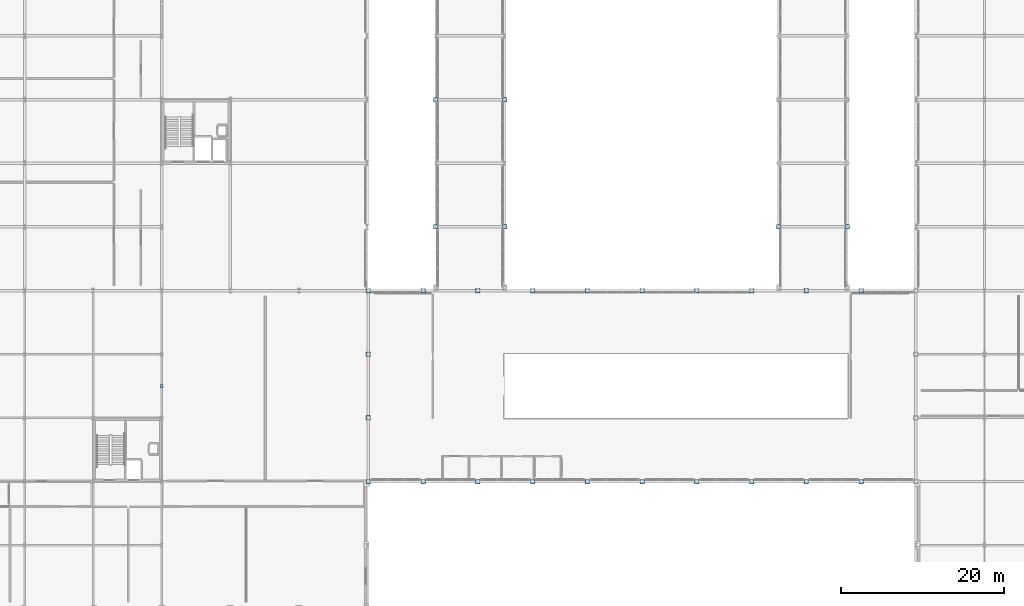
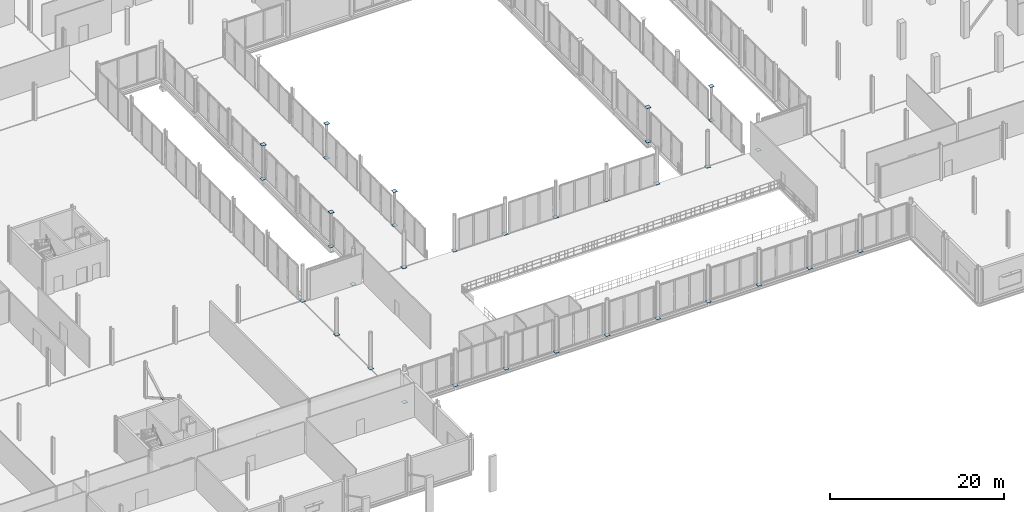
# One storey, part 73 of 105: 35 plates.
"""IFC4 building model written with IfcOpenShell, lengths in metres."""

from ifc_helpers import new_model, si_unit, direction, frame, origin, origin_2d, place, context, subcontext, project, spatial, rectangle, extrude, material, layer, layer_set, type_object, element, save


model = new_model("IFC4")

# Units and contexts
model_context = context("Model", 3, precision=1e-05, world=origin(), true_north=direction((0.0, 1.0)))
body_context = subcontext(model_context, "Body", "Model", "MODEL_VIEW")
ifc_project = project(units=[si_unit("LENGTHUNIT", "METRE"), si_unit("AREAUNIT", "SQUARE_METRE"), si_unit("VOLUMEUNIT", "CUBIC_METRE"), si_unit("PLANEANGLEUNIT", "RADIAN"), si_unit("MASSUNIT", "GRAM", prefix="KILO")], contexts=[model_context])

# Site, building, storey
site_placement = place(None, origin())
site = spatial("IfcSite", under=ifc_project, at=site_placement, CompositionType="ELEMENT")
building_placement = place(site_placement, origin())
building = spatial("IfcBuilding", under=site, at=building_placement, Name="Nabrawat Pavilion Hospital", CompositionType="ELEMENT")
storey_placement = place(building_placement, frame((0.0, 0.0, 5.10009765625)))
storey = spatial("IfcBuildingStorey", under=building, at=storey_placement, Name="L01", CompositionType="ELEMENT", Elevation=5.10009765625)

# Plates
ifc_material = material(Name="Steel S355", Category="steel")
ifc_layer_1 = layer(ifc_material, 0.030029296875, Name="Steel S355")
ifc_layer_set_1 = layer_set([ifc_layer_1], Name="Steel S355")
plate_type_1 = type_object("IfcPlateType", Name="Pavilion Splice Flange Plate 550x550x30", PredefinedType="USERDEFINED", material=ifc_layer_set_1)
for number, where, z_axis, x_axis, name in (
    (1, (75.60009765625, 46.800048828125, 0.0), (0.0, 0.0, 1.0), (1.0, 0.0, 0.0), "L01 Column Flange Plate G-10-G"),
    (2, (75.60009765625, 46.800048828125, 4.81005859375), (0.0, 0.0, 1.0), (1.0, 0.0, 0.0), "L01 Hollow Column Head Cap Plate G-10-G"),
    (3, (75.60009765625, 62.39990234375, 0.0), (0.0, 0.0, 1.0), (1.0, 0.0, 0.0), "L01 Column Flange Plate G-10-J"),
    (4, (75.60009765625, 62.39990234375, 4.81005859375), (0.0, 0.0, 1.0), (1.0, 0.0, 0.0), "L01 Hollow Column Head Cap Plate G-10-J"),
    (5, (109.199951171875, 46.800048828125, 0.0), (0.0, 0.0, 1.0), (1.0, 0.0, 0.0), "L01 Column Flange Plate G-14-G"),
    (6, (109.199951171875, 46.800048828125, 4.81005859375), (0.0, 0.0, 1.0), (1.0, 0.0, 0.0), "L01 Hollow Column Head Cap Plate G-14-G"),
    (7, (117.60009765625, 46.800048828125, 0.0), (0.0, 0.0, 1.0), (1.0, 0.0, 0.0), "L01 Column Flange Plate G-15-G"),
    (8, (117.60009765625, 46.800048828125, 4.81005859375), (0.0, 0.0, 1.0), (1.0, 0.0, 0.0), "L01 Hollow Column Head Cap Plate G-15-G"),
    (9, (67.199951171875, 46.800048828125, 0.0), (0.0, 0.0, 1.0), (1.0, 0.0, 0.0), "L01 Column Flange Plate G-9-G"),
    (10, (67.199951171875, 46.800048828125, 4.81005859375), (0.0, 0.0, 1.0), (1.0, 0.0, 0.0), "L01 Hollow Column Head Cap Plate G-9-G"),
    (11, (67.199951171875, 62.39990234375, 0.0), (0.0, 0.0, 1.0), (1.0, 0.0, 0.0), "L01 Column Flange Plate G-9-J"),
    (12, (67.199951171875, 62.39990234375, 4.81005859375), (0.0, 0.0, 1.0), (1.0, 0.0, 0.0), "L01 Hollow Column Head Cap Plate G-9-J"),
    (13, (58.919921875, 39.0, 0.0), (0.0, 0.0, 1.0), (1.0, 0.0, 0.0), "L01 Column Flange Plate MH-N00"),
    (14, (65.6279296875, 39.0, 0.0), (0.0, 0.0, 1.0), (1.0, 0.0, 0.0), "L01 Column Flange Plate MH-N01"),
    (15, (72.3359375, 39.0, 0.0), (0.0, 0.0, 1.0), (1.0, 0.0, 0.0), "L01 Column Flange Plate MH-N02"),
    (16, (79.0439453125, 39.0, 0.0), (0.0, 0.0, 1.0), (1.0, 0.0, 0.0), "L01 Column Flange Plate MH-N03"),
    (17, (85.751953125, 39.0, 0.0), (0.0, 0.0, 1.0), (1.0, 0.0, 0.0), "L01 Column Flange Plate MH-N04"),
    (18, (92.4599609375, 39.0, 0.0), (0.0, 0.0, 1.0), (1.0, 0.0, 0.0), "L01 Column Flange Plate MH-N05"),
    (19, (99.16796875, 39.0, 0.0), (0.0, 0.0, 1.0), (1.0, 0.0, 0.0), "L01 Column Flange Plate MH-N06"),
    (20, (105.8759765625, 39.0, 0.0), (0.0, 0.0, 1.0), (1.0, 0.0, 0.0), "L01 Column Flange Plate MH-N07"),
    (21, (112.583984375, 39.0, 0.0), (0.0, 0.0, 1.0), (1.0, 0.0, 0.0), "L01 Column Flange Plate MH-N08"),
    (22, (119.2919921875, 39.0, 0.0), (0.0, 0.0, 1.0), (1.0, 0.0, 0.0), "L01 Column Flange Plate MH-N09"),
    (23, (58.919921875, 15.60009765625, 0.0), (0.0, 0.0, 1.0), (1.0, 0.0, 0.0), "L01 Column Flange Plate MH-S00"),
    (24, (65.6279296875, 15.60009765625, 0.0), (0.0, 0.0, 1.0), (1.0, 0.0, 0.0), "L01 Column Flange Plate MH-S01"),
    (25, (72.3359375, 15.60009765625, 0.0), (0.0, 0.0, 1.0), (1.0, 0.0, 0.0), "L01 Column Flange Plate MH-S02"),
    (26, (79.0439453125, 15.60009765625, 0.0), (0.0, 0.0, 1.0), (1.0, 0.0, 0.0), "L01 Column Flange Plate MH-S03"),
    (27, (85.751953125, 15.60009765625, 0.0), (0.0, 0.0, 1.0), (1.0, 0.0, 0.0), "L01 Column Flange Plate MH-S04"),
    (28, (92.4599609375, 15.60009765625, 0.0), (0.0, 0.0, 1.0), (1.0, 0.0, 0.0), "L01 Column Flange Plate MH-S05"),
    (29, (99.16796875, 15.60009765625, 0.0), (0.0, 0.0, 1.0), (1.0, 0.0, 0.0), "L01 Column Flange Plate MH-S06"),
    (30, (105.8759765625, 15.60009765625, 0.0), (0.0, 0.0, 1.0), (1.0, 0.0, 0.0), "L01 Column Flange Plate MH-S07"),
    (31, (112.583984375, 15.60009765625, 0.0), (0.0, 0.0, 1.0), (1.0, 0.0, 0.0), "L01 Column Flange Plate MH-S08"),
    (32, (119.2919921875, 15.60009765625, 0.0), (0.0, 0.0, 1.0), (1.0, 0.0, 0.0), "L01 Column Flange Plate MH-S09"),
    (33, (58.919921875, 23.39990234375, 0.0), (0.0, 0.0, 1.0), (1.0, 0.0, 0.0), "L01 Column Flange Plate MH-W01"),
    (34, (58.919921875, 31.199951171875, 0.0), (0.0, 0.0, 1.0), (1.0, 0.0, 0.0), "L01 Column Flange Plate MH-W02"),
):
    element("IfcPlate", number, at=place(storey_placement, frame(where, z_axis=z_axis, x_axis=x_axis)), inside=storey, type_object=plate_type_1, Name=name, ObjectType="FLANGE PLATE", PredefinedType="USERDEFINED", context=body_context, shape_type="SweptSolid", body=[
        extrude(rectangle(XDim=0.550048828125, YDim=0.550048828125, at=origin_2d()), origin(), (0.0, 0.0, 1.0), 0.030029296875),
    ])
ifc_layer_2 = layer(ifc_material, 0.02392578125, Name="Steel S355")
ifc_layer_set_2 = layer_set([ifc_layer_2], Name="Steel S355")
plate_type_2 = type_object("IfcPlateType", Name="X-Brace Crossing Gusset Plate 440x280x24", PredefinedType="USERDEFINED", material=ifc_layer_set_2)
plate_placement = place(storey_placement, frame((33.60009765625, 27.300048828125, 2.287841796875), z_axis=(0.0, 0.0, 1.0), x_axis=(1.0, 0.0, 0.0)))
element("IfcPlate", 35, at=plate_placement, inside=storey, type_object=plate_type_2, Name="L01 Split X-Brace Crossing Gusset Plate 03", ObjectType="GUSSET PLATE", PredefinedType="USERDEFINED", context=body_context, shape_type="SweptSolid", body=[
    extrude(rectangle(XDim=0.280029296875, YDim=0.43994140625, at=origin_2d()), origin(), (0.0, 0.0, 1.0), 0.02392578125),
])

save(model, "model.ifc")
